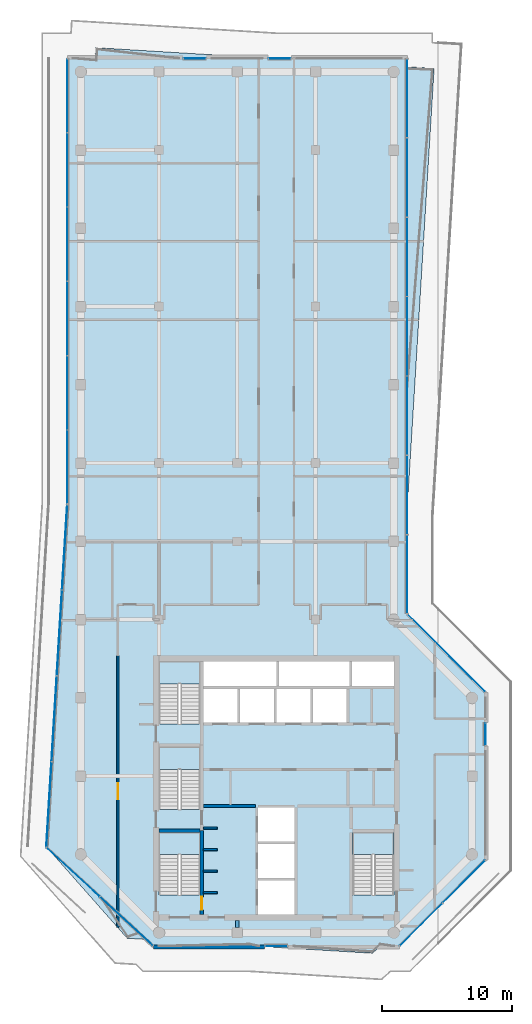
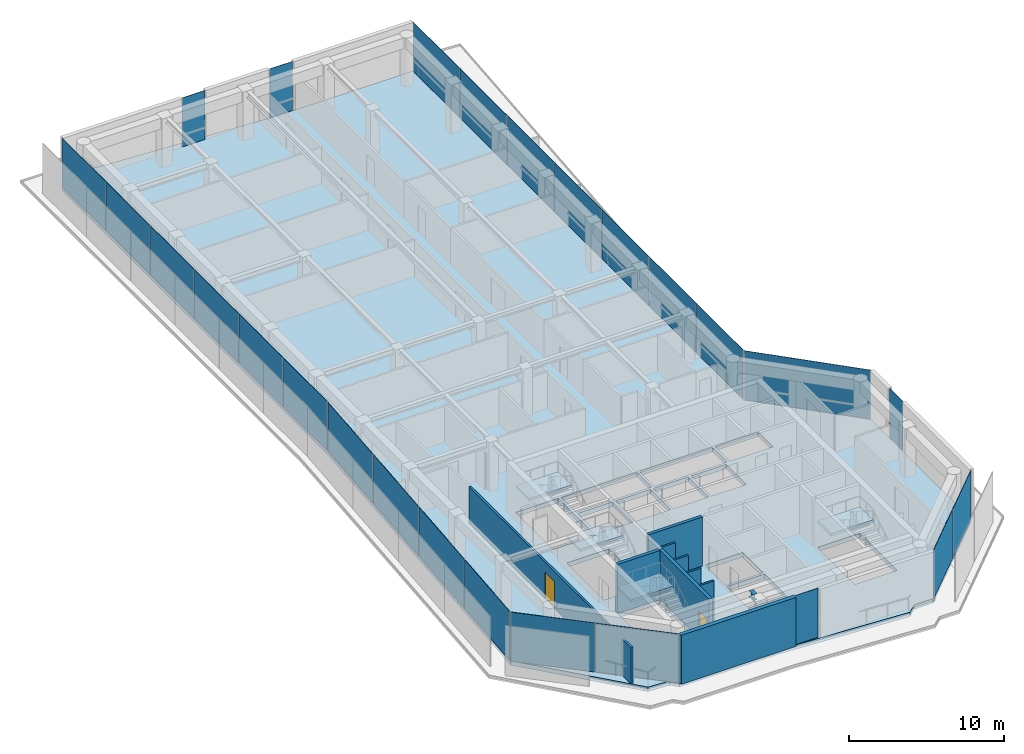
# One storey, part 14 of 19: 26 plates, 9 walls, 5 slabs, 2 doors, 1 beam, 2 openings, 14 elements without a shape of their own.
"""IFC4 building model written with IfcOpenShell, lengths in metres."""

from ifc_helpers import new_model, si_unit, direction, frame, frame_2d, origin, origin_2d, place, context, subcontext, project, spatial, polyline, rectangle, i_section, outline, extrude, material, layer, layer_set, material_profile, profile_set, type_object, element, fill, aggregate, save


model = new_model("IFC4")

# Units and contexts
model_context = context("Model", 3, precision=1e-05, world=origin(), true_north=direction((0.0, 1.0)))
body_context = subcontext(model_context, "Body", "Model", "MODEL_VIEW")
ifc_project = project(units=[si_unit("LENGTHUNIT", "METRE"), si_unit("AREAUNIT", "SQUARE_METRE"), si_unit("VOLUMEUNIT", "CUBIC_METRE"), si_unit("PLANEANGLEUNIT", "RADIAN"), si_unit("MASSUNIT", "GRAM", prefix="KILO")], contexts=[model_context])

# Site, building, storey
site_placement = place(None, origin())
site = spatial("IfcSite", under=ifc_project, at=site_placement, CompositionType="ELEMENT")
building_placement = place(site_placement, origin())
building = spatial("IfcBuilding", under=site, at=building_placement, Name="Welwitschia Terrace Campus", CompositionType="ELEMENT")
storey_placement = place(building_placement, frame((0.0, 0.0, 243.199951171875)))
storey = spatial("IfcBuildingStorey", under=building, at=storey_placement, Name="L54", CompositionType="ELEMENT", Elevation=243.199951171875)

# Beam
ifc_material_1 = material(Name="Steel S355", Category="steel")
ifc_material_profile = material_profile(ifc_material_1, i_section(OverallWidth=0.300048828125, OverallDepth=0.489990234375, WebThickness=0.011962890625, FlangeThickness=0.02294921875, FilletRadius=0.027099609375, at=origin_2d()))
ifc_profile_set = profile_set([ifc_material_profile], Name="Steel S355")
beam_type = type_object("IfcBeamType", Name="Primary beam HE 500 A", PredefinedType="BEAM", material=ifc_profile_set)
beam_placement = place(storey_placement, frame((12.0, 4.400390625, 3.60498046875), z_axis=(0.0, 1.0, 0.0), x_axis=(-1.0, 0.0, 0.0)))
element("IfcBeam", 1, at=beam_placement, inside=storey, type_object=beam_type, Name="Primary beam PB5", PredefinedType="BEAM", context=body_context, shape_type="SweptSolid", body=[
    extrude(i_section(OverallWidth=0.300048828125, OverallDepth=0.489990234375, WebThickness=0.011962890625, FlangeThickness=0.02294921875, FilletRadius=0.027099609375, at=origin_2d()), origin(), (0.0, 0.0, 1.0), 0.549560546875),
])

# Curtain wall, plates
ifc_material_2 = material(Name="Bronze anodised aluminium", Category="aluminium")
ifc_layer_1 = layer(ifc_material_2, 0.1201171875)
ifc_layer_set_1 = layer_set([ifc_layer_1], Name="Bronze anodised aluminium")
curtain_wall_type = type_object("IfcCurtainWallType", Name="Curtain wall CW2 tower 6000", PredefinedType="NOTDEFINED", material=ifc_layer_set_1)
curtain_wall_1_placement = place(storey_placement, origin())
curtain_wall_1 = element("IfcCurtainWall", 2, at=curtain_wall_1_placement, inside=storey, type_object=curtain_wall_type, Name="CW L54.0.0", PredefinedType="NOTDEFINED")
ifc_material_3 = material(Name="Tinted bronze-grey glass", Category="glass")
ifc_layer_2 = layer(ifc_material_3, 0.028076171875)
ifc_layer_set_2 = layer_set([ifc_layer_2], Name="Tinted bronze-grey glass")
plate_type = type_object("IfcPlateType", Name="Glass panel 28 tinted", PredefinedType="CURTAIN_PANEL", material=ifc_layer_set_2)
plate_1_placement = place(storey_placement, frame((-1.23193359375, 33.543212890625, 0.0), z_axis=(0.0, 0.0, 1.0), x_axis=(-0.061048539535, -0.998134798422, 0.0)))
plate_1 = element("IfcPlate", 3, at=plate_1_placement, type_object=plate_type, Name="Panel L54.0.0.0", PredefinedType="CURTAIN_PANEL", context=body_context, shape_type="SweptSolid", body=[
    extrude(rectangle(XDim=6.4990234375, YDim=0.028076171875, at=origin_2d()), origin(), (0.0, 0.0, 1.0), 3.85009765625),
])
plate_2_placement = place(storey_placement, frame((-1.63330078125, 26.981201171875, 0.0), z_axis=(0.0, 0.0, 1.0), x_axis=(-0.061048539535, -0.998134798422, 0.0)))
plate_2 = element("IfcPlate", 4, at=plate_2_placement, type_object=plate_type, Name="Panel L54.0.0.1", PredefinedType="CURTAIN_PANEL", context=body_context, shape_type="SweptSolid", body=[
    extrude(rectangle(XDim=6.529052734375, YDim=0.028076171875, at=origin_2d()), origin(), (0.0, 0.0, 1.0), 3.85009765625),
])
plate_3_placement = place(storey_placement, frame((-2.03564453125, 20.404541015625, 0.0), z_axis=(0.0, 0.0, 1.0), x_axis=(-0.061048539535, -0.998134798422, 0.0)))
plate_3 = element("IfcPlate", 5, at=plate_3_placement, type_object=plate_type, Name="Panel L54.0.0.2", PredefinedType="CURTAIN_PANEL", context=body_context, shape_type="SweptSolid", body=[
    extrude(rectangle(XDim=6.529052734375, YDim=0.028076171875, at=origin_2d()), origin(), (0.0, 0.0, 1.0), 3.85009765625),
])
plate_4_placement = place(storey_placement, frame((-2.43701171875, 13.8427734375, 0.0), z_axis=(0.0, 0.0, 1.0), x_axis=(-0.061048539535, -0.998134798422, 0.0)))
plate_4 = element("IfcPlate", 6, at=plate_4_placement, type_object=plate_type, Name="Panel L54.0.0.3", PredefinedType="CURTAIN_PANEL", context=body_context, shape_type="SweptSolid", body=[
    extrude(rectangle(XDim=6.4990234375, YDim=0.028076171875, at=origin_2d()), origin(), (0.0, 0.0, 1.0), 3.85009765625),
])
aggregate(curtain_wall_1, [plate_1, plate_2, plate_3, plate_4])

curtain_wall_2_placement = place(storey_placement, origin())
curtain_wall_2 = element("IfcCurtainWall", 7, at=curtain_wall_2_placement, inside=storey, type_object=curtain_wall_type, Name="CW L54.1.0", PredefinedType="NOTDEFINED")
plate_5_placement = place(storey_placement, frame((-0.574951171875, 8.63671875, 0.0), z_axis=(0.0, 0.0, 1.0), x_axis=(0.735310614007, -0.677730256761, 0.0)))
plate_5 = element("IfcPlate", 8, at=plate_5_placement, type_object=plate_type, Name="Panel L54.1.0.0", PredefinedType="CURTAIN_PANEL", context=body_context, shape_type="SweptSolid", body=[
    extrude(rectangle(XDim=5.494384765625, YDim=0.028076171875, at=origin_2d()), origin(), (0.0, 0.0, 1.0), 3.85009765625),
])
plate_6_placement = place(storey_placement, frame((3.50927734375, 4.87255859375, 0.0), z_axis=(0.0, 0.0, 1.0), x_axis=(0.735310614007, -0.677730256761, 0.0)))
plate_6 = element("IfcPlate", 9, at=plate_6_placement, type_object=plate_type, Name="Panel L54.1.0.1", PredefinedType="CURTAIN_PANEL", context=body_context, shape_type="SweptSolid", body=[
    extrude(rectangle(XDim=5.494384765625, YDim=0.028076171875, at=origin_2d()), origin(), (0.0, 0.0, 1.0), 3.85009765625),
])
aggregate(curtain_wall_2, [plate_5, plate_6])

# Curtain wall, plate
curtain_wall_3_placement = place(storey_placement, origin())
curtain_wall_3 = element("IfcCurtainWall", 10, at=curtain_wall_3_placement, inside=storey, type_object=curtain_wall_type, Name="CW L54.2.S0", PredefinedType="NOTDEFINED")
plate_7_placement = place(storey_placement, frame((15.0, 2.969970703125, 0.0), z_axis=(0.0, 0.0, 1.0), x_axis=(1.0, 0.0, 0.0)))
plate_7 = element("IfcPlate", 11, at=plate_7_placement, type_object=plate_type, Name="Panel L54.2.S0.0", PredefinedType="CURTAIN_PANEL", context=body_context, shape_type="SweptSolid", body=[
    extrude(rectangle(XDim=1.679931640625, YDim=0.028076171875, at=origin_2d()), origin(), (0.0, 0.0, 1.0), 3.85009765625),
])
aggregate(curtain_wall_3, [plate_7])

# Curtain wall, plates
curtain_wall_4_placement = place(storey_placement, origin())
curtain_wall_4 = element("IfcCurtainWall", 12, at=curtain_wall_4_placement, inside=storey, type_object=curtain_wall_type, Name="CW L54.3.0", PredefinedType="NOTDEFINED")
plate_8_placement = place(storey_placement, frame((26.088134765625, 4.63134765625, 0.0), z_axis=(0.0, 0.0, 1.0), x_axis=(0.707106781187, 0.707106781187, 0.0)))
plate_8 = element("IfcPlate", 13, at=plate_8_placement, type_object=plate_type, Name="Panel L54.3.0.0", PredefinedType="CURTAIN_PANEL", context=body_context, shape_type="SweptSolid", body=[
    extrude(rectangle(XDim=4.579345703125, YDim=0.028076171875, at=origin_2d()), origin(), (0.0, 0.0, 1.0), 3.85009765625),
])
plate_9_placement = place(storey_placement, frame((29.36865234375, 7.911865234375, 0.0), z_axis=(0.0, 0.0, 1.0), x_axis=(0.707106781187, 0.707106781187, 0.0)))
plate_9 = element("IfcPlate", 14, at=plate_9_placement, type_object=plate_type, Name="Panel L54.3.0.1", PredefinedType="CURTAIN_PANEL", context=body_context, shape_type="SweptSolid", body=[
    extrude(rectangle(XDim=4.579345703125, YDim=0.028076171875, at=origin_2d()), origin(), (0.0, 0.0, 1.0), 3.85009765625),
])
aggregate(curtain_wall_4, [plate_8, plate_9])

# Curtain wall, plate
curtain_wall_5_placement = place(storey_placement, origin())
curtain_wall_5 = element("IfcCurtainWall", 15, at=curtain_wall_5_placement, inside=storey, type_object=curtain_wall_type, Name="CW L54.4.S0", PredefinedType="NOTDEFINED")
plate_10_placement = place(storey_placement, frame((31.030029296875, 19.21337890625, 0.0), z_axis=(0.0, 0.0, 1.0), x_axis=(0.0, 1.0, 0.0)))
plate_10 = element("IfcPlate", 16, at=plate_10_placement, type_object=plate_type, Name="Panel L54.4.S0.0", PredefinedType="CURTAIN_PANEL", context=body_context, shape_type="SweptSolid", body=[
    extrude(rectangle(XDim=1.679931640625, YDim=0.028076171875, at=origin_2d()), origin(), (0.0, 0.0, 1.0), 3.85009765625),
])
aggregate(curtain_wall_5, [plate_10])

curtain_wall_6_placement = place(storey_placement, origin())
curtain_wall_6 = element("IfcCurtainWall", 17, at=curtain_wall_6_placement, inside=storey, type_object=curtain_wall_type, Name="CW L54.5.0", PredefinedType="NOTDEFINED")
plate_11_placement = place(storey_placement, frame((28.030029296875, 25.4267578125, 0.0), z_axis=(0.0, 0.0, 1.0), x_axis=(-0.707106781187, 0.707106781187, 0.0)))
plate_11 = element("IfcPlate", 18, at=plate_11_placement, type_object=plate_type, Name="Panel L54.5.0.0", PredefinedType="CURTAIN_PANEL", context=body_context, shape_type="SweptSolid", body=[
    extrude(rectangle(XDim=8.365234375, YDim=0.028076171875, at=origin_2d()), origin(), (0.0, 0.0, 1.0), 3.85009765625),
])
aggregate(curtain_wall_6, [plate_11])

# Curtain wall, plates
curtain_wall_7_placement = place(storey_placement, origin())
curtain_wall_7 = element("IfcCurtainWall", 19, at=curtain_wall_7_placement, inside=storey, type_object=curtain_wall_type, Name="CW L54.6.0", PredefinedType="NOTDEFINED")
plate_12_placement = place(storey_placement, frame((25.030029296875, 31.484619140625, 0.0), z_axis=(0.0, 0.0, 1.0), x_axis=(0.0, 1.0, 0.0)))
plate_12 = element("IfcPlate", 20, at=plate_12_placement, type_object=plate_type, Name="Panel L54.6.0.0", PredefinedType="CURTAIN_PANEL", context=body_context, shape_type="SweptSolid", body=[
    extrude(rectangle(XDim=5.99609375, YDim=0.028076171875, at=origin_2d()), origin(), (0.0, 0.0, 1.0), 3.85009765625),
])
plate_13_placement = place(storey_placement, frame((25.030029296875, 37.555908203125, 0.0), z_axis=(0.0, 0.0, 1.0), x_axis=(0.0, 1.0, 0.0)))
plate_13 = element("IfcPlate", 21, at=plate_13_placement, type_object=plate_type, Name="Panel L54.6.0.1", PredefinedType="CURTAIN_PANEL", context=body_context, shape_type="SweptSolid", body=[
    extrude(rectangle(XDim=6.026123046875, YDim=0.028076171875, at=origin_2d()), origin(), (0.0, 0.0, 1.0), 3.85009765625),
])
plate_14_placement = place(storey_placement, frame((25.030029296875, 43.64208984375, 0.0), z_axis=(0.0, 0.0, 1.0), x_axis=(0.0, 1.0, 0.0)))
plate_14 = element("IfcPlate", 22, at=plate_14_placement, type_object=plate_type, Name="Panel L54.6.0.2", PredefinedType="CURTAIN_PANEL", context=body_context, shape_type="SweptSolid", body=[
    extrude(rectangle(XDim=6.026123046875, YDim=0.028076171875, at=origin_2d()), origin(), (0.0, 0.0, 1.0), 3.85009765625),
])
plate_15_placement = place(storey_placement, frame((25.030029296875, 49.728271484375, 0.0), z_axis=(0.0, 0.0, 1.0), x_axis=(0.0, 1.0, 0.0)))
plate_15 = element("IfcPlate", 23, at=plate_15_placement, type_object=plate_type, Name="Panel L54.6.0.3", PredefinedType="CURTAIN_PANEL", context=body_context, shape_type="SweptSolid", body=[
    extrude(rectangle(XDim=6.026123046875, YDim=0.028076171875, at=origin_2d()), origin(), (0.0, 0.0, 1.0), 3.85009765625),
])
plate_16_placement = place(storey_placement, frame((25.030029296875, 55.814453125, 0.0), z_axis=(0.0, 0.0, 1.0), x_axis=(0.0, 1.0, 0.0)))
plate_16 = element("IfcPlate", 24, at=plate_16_placement, type_object=plate_type, Name="Panel L54.6.0.4", PredefinedType="CURTAIN_PANEL", context=body_context, shape_type="SweptSolid", body=[
    extrude(rectangle(XDim=6.026123046875, YDim=0.028076171875, at=origin_2d()), origin(), (0.0, 0.0, 1.0), 3.85009765625),
])
plate_17_placement = place(storey_placement, frame((25.030029296875, 61.900634765625, 0.0), z_axis=(0.0, 0.0, 1.0), x_axis=(0.0, 1.0, 0.0)))
plate_17 = element("IfcPlate", 25, at=plate_17_placement, type_object=plate_type, Name="Panel L54.6.0.5", PredefinedType="CURTAIN_PANEL", context=body_context, shape_type="SweptSolid", body=[
    extrude(rectangle(XDim=6.026123046875, YDim=0.028076171875, at=origin_2d()), origin(), (0.0, 0.0, 1.0), 3.85009765625),
])
plate_18_placement = place(storey_placement, frame((25.030029296875, 67.971923828125, 0.0), z_axis=(0.0, 0.0, 1.0), x_axis=(0.0, 1.0, 0.0)))
plate_18 = element("IfcPlate", 26, at=plate_18_placement, type_object=plate_type, Name="Panel L54.6.0.6", PredefinedType="CURTAIN_PANEL", context=body_context, shape_type="SweptSolid", body=[
    extrude(rectangle(XDim=5.99609375, YDim=0.028076171875, at=origin_2d()), origin(), (0.0, 0.0, 1.0), 3.85009765625),
])
aggregate(curtain_wall_7, [plate_12, plate_13, plate_14, plate_15, plate_16, plate_17, plate_18])

# Curtain wall, plate
curtain_wall_8_placement = place(storey_placement, origin())
curtain_wall_8 = element("IfcCurtainWall", 27, at=curtain_wall_8_placement, inside=storey, type_object=curtain_wall_type, Name="CW L54.7.S0", PredefinedType="NOTDEFINED")
plate_19_placement = place(storey_placement, frame((15.257568359375, 71.030029296875, 0.0), z_axis=(0.0, 0.0, 1.0), x_axis=(-1.0, 0.0, 0.0)))
plate_19 = element("IfcPlate", 28, at=plate_19_placement, type_object=plate_type, Name="Panel L54.7.S0.0", PredefinedType="CURTAIN_PANEL", context=body_context, shape_type="SweptSolid", body=[
    extrude(rectangle(XDim=1.679931640625, YDim=0.028076171875, at=origin_2d()), origin(), (0.0, 0.0, 1.0), 3.85009765625),
])
aggregate(curtain_wall_8, [plate_19])

curtain_wall_9_placement = place(storey_placement, origin())
curtain_wall_9 = element("IfcCurtainWall", 29, at=curtain_wall_9_placement, inside=storey, type_object=curtain_wall_type, Name="CW L54.7.S1", PredefinedType="NOTDEFINED")
plate_20_placement = place(storey_placement, frame((8.742431640625, 71.030029296875, 0.0), z_axis=(0.0, 0.0, 1.0), x_axis=(-1.0, 0.0, 0.0)))
plate_20 = element("IfcPlate", 30, at=plate_20_placement, type_object=plate_type, Name="Panel L54.7.S1.0", PredefinedType="CURTAIN_PANEL", context=body_context, shape_type="SweptSolid", body=[
    extrude(rectangle(XDim=1.679931640625, YDim=0.028076171875, at=origin_2d()), origin(), (0.0, 0.0, 1.0), 3.85009765625),
])
aggregate(curtain_wall_9, [plate_20])

# Curtain wall, plates
curtain_wall_10_placement = place(storey_placement, origin())
curtain_wall_10 = element("IfcCurtainWall", 31, at=curtain_wall_10_placement, inside=storey, type_object=curtain_wall_type, Name="CW L54.8.0", PredefinedType="NOTDEFINED")
plate_21_placement = place(storey_placement, frame((-1.030029296875, 68.166259765625, 0.0), z_axis=(0.0, 0.0, 1.0), x_axis=(0.0, -1.0, 0.0)))
plate_21 = element("IfcPlate", 32, at=plate_21_placement, type_object=plate_type, Name="Panel L54.8.0.0", PredefinedType="CURTAIN_PANEL", context=body_context, shape_type="SweptSolid", body=[
    extrude(rectangle(XDim=5.607177734375, YDim=0.028076171875, at=origin_2d()), origin(), (0.0, 0.0, 1.0), 3.85009765625),
])
plate_22_placement = place(storey_placement, frame((-1.030029296875, 62.484130859375, 0.0), z_axis=(0.0, 0.0, 1.0), x_axis=(0.0, -1.0, 0.0)))
plate_22 = element("IfcPlate", 33, at=plate_22_placement, type_object=plate_type, Name="Panel L54.8.0.1", PredefinedType="CURTAIN_PANEL", context=body_context, shape_type="SweptSolid", body=[
    extrude(rectangle(XDim=5.63720703125, YDim=0.028076171875, at=origin_2d()), origin(), (0.0, 0.0, 1.0), 3.85009765625),
])
plate_23_placement = place(storey_placement, frame((-1.030029296875, 56.786865234375, 0.0), z_axis=(0.0, 0.0, 1.0), x_axis=(0.0, -1.0, 0.0)))
plate_23 = element("IfcPlate", 34, at=plate_23_placement, type_object=plate_type, Name="Panel L54.8.0.2", PredefinedType="CURTAIN_PANEL", context=body_context, shape_type="SweptSolid", body=[
    extrude(rectangle(XDim=5.63720703125, YDim=0.028076171875, at=origin_2d()), origin(), (0.0, 0.0, 1.0), 3.85009765625),
])
plate_24_placement = place(storey_placement, frame((-1.030029296875, 51.089599609375, 0.0), z_axis=(0.0, 0.0, 1.0), x_axis=(0.0, -1.0, 0.0)))
plate_24 = element("IfcPlate", 35, at=plate_24_placement, type_object=plate_type, Name="Panel L54.8.0.3", PredefinedType="CURTAIN_PANEL", context=body_context, shape_type="SweptSolid", body=[
    extrude(rectangle(XDim=5.63720703125, YDim=0.028076171875, at=origin_2d()), origin(), (0.0, 0.0, 1.0), 3.85009765625),
])
plate_25_placement = place(storey_placement, frame((-1.030029296875, 45.392333984375, 0.0), z_axis=(0.0, 0.0, 1.0), x_axis=(0.0, -1.0, 0.0)))
plate_25 = element("IfcPlate", 36, at=plate_25_placement, type_object=plate_type, Name="Panel L54.8.0.4", PredefinedType="CURTAIN_PANEL", context=body_context, shape_type="SweptSolid", body=[
    extrude(rectangle(XDim=5.63720703125, YDim=0.028076171875, at=origin_2d()), origin(), (0.0, 0.0, 1.0), 3.85009765625),
])
plate_26_placement = place(storey_placement, frame((-1.030029296875, 39.710205078125, 0.0), z_axis=(0.0, 0.0, 1.0), x_axis=(0.0, -1.0, 0.0)))
plate_26 = element("IfcPlate", 37, at=plate_26_placement, type_object=plate_type, Name="Panel L54.8.0.5", PredefinedType="CURTAIN_PANEL", context=body_context, shape_type="SweptSolid", body=[
    extrude(rectangle(XDim=5.607177734375, YDim=0.028076171875, at=origin_2d()), origin(), (0.0, 0.0, 1.0), 3.85009765625),
])
aggregate(curtain_wall_10, [plate_21, plate_22, plate_23, plate_24, plate_25, plate_26])

# Stair, slab
ifc_material_4 = material(Name="Concrete C40/50", Category="concrete")
stair_type = type_object("IfcStairType", Name="Stair 24R 175 W1500", PredefinedType="HALF_TURN_STAIR", material=ifc_material_4)
stair_1_placement = place(storey_placement, origin())
stair_1 = element("IfcStair", 38, at=stair_1_placement, inside=storey, type_object=stair_type, Name="L54 Exit stair S1", PredefinedType="HALF_TURN_STAIR")
ifc_material_5 = material(Name="Concrete C40/50", Category="concrete")
ifc_layer_3 = layer(ifc_material_5, 0.199951171875)
ifc_layer_set_3 = layer_set([ifc_layer_3], Name="Concrete C40/50")
slab_type_1 = type_object("IfcSlabType", Name="Stair landing RC", PredefinedType="LANDING", material=ifc_layer_set_3)
slab_1_placement = place(storey_placement, frame((0.0, 0.0, 1.900146484375)))
slab_1 = element("IfcSlab", 39, at=slab_1_placement, type_object=slab_type_1, Name="S1 landing 1", PredefinedType="LANDING", context=body_context, shape_type="SweptSolid", body=[
    extrude(outline(polyline([(9.14990234375, 9.97998046875), (9.14990234375, 11.699951171875), (6.0, 11.699951171875), (6.0, 9.97998046875), (9.14990234375, 9.97998046875)])), origin(), (0.0, 0.0, 1.0), 0.199951171875),
])
aggregate(stair_1, [slab_1])

stair_2_placement = place(storey_placement, origin())
stair_2 = element("IfcStair", 40, at=stair_2_placement, inside=storey, type_object=stair_type, Name="L54 Exit stair S3", PredefinedType="HALF_TURN_STAIR")
slab_2_placement = place(storey_placement, frame((0.0, 0.0, 1.900146484375)))
slab_2 = element("IfcSlab", 41, at=slab_2_placement, type_object=slab_type_1, Name="S3 landing 1", PredefinedType="LANDING", context=body_context, shape_type="SweptSolid", body=[
    extrude(outline(polyline([(9.14990234375, 16.530029296875), (9.14990234375, 18.25), (6.0, 18.25), (6.0, 16.530029296875), (9.14990234375, 16.530029296875)])), origin(), (0.0, 0.0, 1.0), 0.199951171875),
])
aggregate(stair_2, [slab_2])

stair_3_placement = place(storey_placement, origin())
stair_3 = element("IfcStair", 42, at=stair_3_placement, inside=storey, type_object=stair_type, Name="L54 Exit stair S4", PredefinedType="HALF_TURN_STAIR")
slab_3_placement = place(storey_placement, frame((0.0, 0.0, 1.900146484375)))
slab_3 = element("IfcSlab", 43, at=slab_3_placement, type_object=slab_type_1, Name="S4 landing 1", PredefinedType="LANDING", context=body_context, shape_type="SweptSolid", body=[
    extrude(outline(polyline([(9.14990234375, 23.080078125), (9.14990234375, 24.800048828125), (6.0, 24.800048828125), (6.0, 23.080078125), (9.14990234375, 23.080078125)])), origin(), (0.0, 0.0, 1.0), 0.199951171875),
])
aggregate(stair_3, [slab_3])

stair_4_placement = place(storey_placement, origin())
stair_4 = element("IfcStair", 44, at=stair_4_placement, inside=storey, type_object=stair_type, Name="L54 Exit stair S2", PredefinedType="HALF_TURN_STAIR")
slab_4_placement = place(storey_placement, frame((0.0, 0.0, 1.900146484375)))
slab_4 = element("IfcSlab", 45, at=slab_4_placement, type_object=slab_type_1, Name="S2 landing 1", PredefinedType="LANDING", context=body_context, shape_type="SweptSolid", body=[
    extrude(outline(polyline([(24.0, 9.97998046875), (24.0, 11.699951171875), (20.85009765625, 11.699951171875), (20.85009765625, 9.97998046875), (24.0, 9.97998046875)])), origin(), (0.0, 0.0, 1.0), 0.199951171875),
])
aggregate(stair_4, [slab_4])

# Slab
ifc_material_6 = material(Name="Concrete C40/50", Category="concrete")
ifc_layer_4 = layer(ifc_material_6, 0.35009765625)
ifc_layer_set_4 = layer_set([ifc_layer_4], Name="Concrete C40/50")
slab_type_2 = type_object("IfcSlabType", Name="Suspended floor slab 350", PredefinedType="FLOOR", material=ifc_layer_set_4)
slab_5_placement = place(storey_placement, frame((0.0, 0.0, -0.349853515625)))
element("IfcSlab", 46, at=slab_5_placement, inside=storey, type_object=slab_type_2, Name="Floor slab L54", PredefinedType="FLOOR", context=body_context, shape_type="SweptSolid", body=[
    extrude(outline(polyline([(1.0888671875, 71.0), (1.140869140625, 71.849609375), (15.030517578125, 71.0), (25.0, 71.0), (25.0, 70.39013671875), (27.092529296875, 70.26220703125), (25.0, 36.05126953125), (25.0, 28.414306640625), (31.0, 22.414306640625), (31.0, 9.585693359375), (24.414306640625, 3.0), (23.006591796875, 3.0), (22.3564453125, 2.4248046875), (12.952880859375, 3.0), (5.585693359375, 3.0), (5.10595703125, 3.47998046875), (3.563232421875, 3.57421875), (-2.6083984375, 10.5498046875), (-1.0, 36.845458984375), (-1.0, 71.0), (1.0888671875, 71.0)]), holes=[polyline([(13.60009765625, 8.0), (13.60009765625, 5.39990234375), (16.39990234375, 5.39990234375), (16.39990234375, 8.0), (13.60009765625, 8.0)]), polyline([(9.14990234375, 11.699951171875), (6.0, 11.699951171875), (6.0, 6.902099609375), (9.14990234375, 6.902099609375), (9.14990234375, 11.699951171875)]), polyline([(9.14990234375, 18.25), (6.0, 18.25), (6.0, 13.451904296875), (9.14990234375, 13.451904296875), (9.14990234375, 18.25)]), polyline([(12.0, 22.699951171875), (9.39990234375, 22.699951171875), (9.39990234375, 20.10009765625), (12.0, 20.10009765625), (12.0, 22.699951171875)]), polyline([(14.800048828125, 22.699951171875), (12.199951171875, 22.699951171875), (12.199951171875, 20.10009765625), (14.800048828125, 20.10009765625), (14.800048828125, 22.699951171875)]), polyline([(9.14990234375, 24.800048828125), (6.0, 24.800048828125), (6.0, 20.001953125), (9.14990234375, 20.001953125), (9.14990234375, 24.800048828125)]), polyline([(15.0, 24.800048828125), (9.39990234375, 24.800048828125), (9.39990234375, 22.89990234375), (15.0, 22.89990234375), (15.0, 24.800048828125)]), polyline([(20.85009765625, 11.699951171875), (20.85009765625, 6.902099609375), (24.0, 6.902099609375), (24.0, 11.699951171875), (20.85009765625, 11.699951171875)]), polyline([(16.39990234375, 10.800048828125), (13.60009765625, 10.800048828125), (13.60009765625, 8.199951171875), (16.39990234375, 8.199951171875), (16.39990234375, 10.800048828125)]), polyline([(16.39990234375, 13.60009765625), (13.60009765625, 13.60009765625), (13.60009765625, 11.0), (16.39990234375, 11.0), (16.39990234375, 13.60009765625)]), polyline([(17.60009765625, 22.699951171875), (15.0, 22.699951171875), (15.0, 20.10009765625), (17.60009765625, 20.10009765625), (17.60009765625, 22.699951171875)]), polyline([(20.39990234375, 22.699951171875), (17.800048828125, 22.699951171875), (17.800048828125, 20.10009765625), (20.39990234375, 20.10009765625), (20.39990234375, 22.699951171875)]), polyline([(20.60009765625, 24.800048828125), (15.199951171875, 24.800048828125), (15.199951171875, 22.89990234375), (20.60009765625, 22.89990234375), (20.60009765625, 24.800048828125)]), polyline([(24.0, 24.800048828125), (20.800048828125, 24.800048828125), (20.800048828125, 22.89990234375), (24.0, 22.89990234375), (24.0, 24.800048828125)])]), origin(), (0.0, 0.0, 1.0), 0.349853515625),
])

# Walls
ifc_material_7 = material(Name="Concrete C32/40", Category="concrete")
ifc_layer_5 = layer(ifc_material_7, 0.22509765625)
ifc_layer_set_5 = layer_set([ifc_layer_5], Name="Concrete C32/40")
wall_type_1 = type_object("IfcWallType", Name="Core partition 225 Concrete C32/40", PredefinedType="PARTITIONING", material=ifc_layer_set_5)
wall_1_placement = place(storey_placement, frame((9.39990234375, 13.699951171875, 0.0), z_axis=(0.0, 0.0, 1.0), x_axis=(1.0, 0.0, 0.0)))
element("IfcWall", 47, at=wall_1_placement, inside=storey, type_object=wall_type_1, Name="Core partition", PredefinedType="PARTITIONING", context=body_context, shape_type="SweptSolid", body=[
    extrude(rectangle(XDim=4.0, YDim=0.22509765625, at=frame_2d((2.0, 0.0))), origin(), (0.0, 0.0, 1.0), 3.85009765625),
])
ifc_material_8 = material(Name="Concrete C50/60", Category="concrete")
ifc_layer_6 = layer(ifc_material_8, 0.14990234375)
ifc_layer_set_6 = layer_set([ifc_layer_6], Name="Concrete C50/60")
wall_type_2 = type_object("IfcWallType", Name="Core wall 150 Concrete C50/60", PredefinedType="SHEAR", material=ifc_layer_set_6)
for number, where, z_axis, x_axis, name in (
    (48, (9.39990234375, 7.074951171875, 0.0), (0.0, 0.0, 1.0), (1.0, 0.0, 0.0), "Core wall"),
    (49, (9.39990234375, 8.72509765625, 0.0), (0.0, 0.0, 1.0), (1.0, 0.0, 0.0), "Core wall"),
    (50, (9.39990234375, 10.375, 0.0), (0.0, 0.0, 1.0), (1.0, 0.0, 0.0), "Core wall"),
    (51, (9.39990234375, 12.02490234375, 0.0), (0.0, 0.0, 1.0), (1.0, 0.0, 0.0), "Core wall"),
):
    element("IfcWall", number, at=place(storey_placement, frame(where, z_axis=z_axis, x_axis=x_axis)), inside=storey, type_object=wall_type_2, Name=name, PredefinedType="SHEAR", context=body_context, shape_type="SweptSolid", body=[
        extrude(rectangle(XDim=1.050048828125, YDim=0.14990234375, at=frame_2d((0.52490234375, 0.0))), origin(), (0.0, 0.0, 1.0), 3.85009765625),
    ])
ifc_material_9 = material(Name="Concrete C50/60", Category="concrete")
ifc_layer_7 = layer(ifc_material_9, 0.25)
ifc_layer_set_7 = layer_set([ifc_layer_7], Name="Concrete C50/60")
wall_type_3 = type_object("IfcWallType", Name="Core wall 250 Concrete C50/60", PredefinedType="SHEAR", material=ifc_layer_set_7)
wall_2_placement = place(storey_placement, frame((6.0, 11.824951171875, 0.0), z_axis=(0.0, 0.0, 1.0), x_axis=(1.0, 0.0, 0.0)))
element("IfcWall", 52, at=wall_2_placement, inside=storey, type_object=wall_type_3, Name="Core wall", PredefinedType="SHEAR", context=body_context, shape_type="SweptSolid", body=[
    extrude(rectangle(XDim=3.14990234375, YDim=0.25, at=frame_2d((1.574951171875, 0.0))), origin(), (0.0, 0.0, 1.0), 3.85009765625),
])

# Wall, opening, door
wall_3_placement = place(storey_placement, frame((9.27490234375, 11.824951171875, 0.0), z_axis=(0.0, 0.0, 1.0), x_axis=(0.0, -1.0, 0.0)))
wall_3 = element("IfcWall", 53, at=wall_3_placement, inside=storey, type_object=wall_type_3, Name="Core wall", PredefinedType="SHEAR", context=body_context, shape_type="SweptSolid", body=[
    extrude(rectangle(XDim=6.425048828125, YDim=0.25, at=frame_2d((3.21240234375, 0.0))), origin(), (0.0, 0.0, 1.0), 3.85009765625),
])
opening_1_placement = place(wall_3_placement, frame((5.074951171875, 0.0, 0.0)))
opening_1 = element("IfcOpeningElement", 54, at=opening_1_placement, cuts=wall_3, Name="Opening DS10", PredefinedType="OPENING", context=body_context, shape_type="SweptSolid", body=[
    extrude(rectangle(XDim=1.0, YDim=2.10009765625, at=frame_2d((0.5, 1.050048828125))), frame((0.0, 0.135009765625, 0.0), z_axis=(0.0, -1.0, 0.0), x_axis=(1.0, 0.0, 0.0)), (0.0, 0.0, 1.0), 0.27001953125),
])
ifc_material_10 = material(Name="Steel S275", Category="steel")
door_type_1 = type_object("IfcDoorType", Name="Core door DS10", OperationType="SINGLE_SWING_LEFT", PredefinedType="DOOR", material=ifc_material_10)
door_1_placement = place(opening_1_placement, origin())
door_1 = element("IfcDoor", 55, at=door_1_placement, inside=storey, type_object=door_type_1, Name="Door S1-FL", OperationType="SINGLE_SWING_RIGHT", OverallHeight=2.10009765625, OverallWidth=1.0, PredefinedType="DOOR", context=body_context, shape_type="SweptSolid", body=[
    extrude(rectangle(XDim=1.0, YDim=2.10009765625, at=frame_2d((0.5, 1.050048828125))), frame((0.0, 0.02490234375, 0.0), z_axis=(0.0, -1.0, 0.0), x_axis=(1.0, 0.0, 0.0)), (0.0, 0.0, 1.0), 0.050048828125),
])
fill(opening_1, door_1)

ifc_material_11 = material(Name="Gypsum board on steel studs", Category="steel")
ifc_layer_8 = layer(ifc_material_11, 0.14990234375)
ifc_layer_set_8 = layer_set([ifc_layer_8], Name="Gypsum board on steel studs")
wall_type_4 = type_object("IfcWallType", Name="Corridor partition 150 EI 30", PredefinedType="PARTITIONING", material=ifc_layer_set_8)
wall_4_placement = place(storey_placement, frame((2.85009765625, 4.409912109375, 0.0), z_axis=(0.0, 0.0, 1.0), x_axis=(0.0, 1.0, 0.0)))
wall_4 = element("IfcWall", 56, at=wall_4_placement, inside=storey, type_object=wall_type_4, Name="Partition", PredefinedType="PARTITIONING", context=body_context, shape_type="SweptSolid", body=[
    extrude(rectangle(XDim=20.840087890625, YDim=0.14990234375, at=frame_2d((10.419921875, 0.0))), origin(), (0.0, 0.0, 1.0), 2.880126953125),
])
opening_2_placement = place(wall_4_placement, frame((9.840087890625, 0.0, 0.0)))
opening_2 = element("IfcOpeningElement", 57, at=opening_2_placement, cuts=wall_4, Name="Opening DI12", PredefinedType="OPENING", context=body_context, shape_type="SweptSolid", body=[
    extrude(rectangle(XDim=1.199951171875, YDim=2.10009765625, at=frame_2d((0.60009765625, 1.050048828125))), frame((0.0, 0.0849609375, 0.0), z_axis=(0.0, -1.0, 0.0), x_axis=(1.0, 0.0, 0.0)), (0.0, 0.0, 1.0), 0.169921875),
])
ifc_material_12 = material(Name="Timber veneered door", Category="wood")
door_type_2 = type_object("IfcDoorType", Name="Interior door DI12", OperationType="NOTDEFINED", PredefinedType="DOOR", material=ifc_material_12)
door_2_placement = place(opening_2_placement, origin())
door_2 = element("IfcDoor", 58, at=door_2_placement, inside=storey, type_object=door_type_2, Name="Door L54 987", OperationType="SINGLE_SWING_RIGHT", OverallHeight=2.10009765625, OverallWidth=1.199951171875, PredefinedType="DOOR", context=body_context, shape_type="SweptSolid", body=[
    extrude(rectangle(XDim=1.199951171875, YDim=2.10009765625, at=frame_2d((0.60009765625, 1.050048828125))), frame((0.0, 0.02490234375, 0.0), z_axis=(0.0, -1.0, 0.0), x_axis=(1.0, 0.0, 0.0)), (0.0, 0.0, 1.0), 0.050048828125),
])
fill(opening_2, door_2)

# Wall
ifc_material_13 = material(Name="Concrete C40/50", Category="concrete")
ifc_layer_9 = layer(ifc_material_13, 0.300048828125)
ifc_layer_set_9 = layer_set([ifc_layer_9], Name="Concrete C40/50")
wall_type_5 = type_object("IfcWallType", Name="Mass wall 300", PredefinedType="SOLIDWALL", material=ifc_layer_set_9)
wall_5_placement = place(storey_placement, frame((5.573486328125, 2.92041015625, 0.0), z_axis=(0.0, 0.0, 1.0), x_axis=(1.0, 0.0, 0.0)))
element("IfcWall", 59, at=wall_5_placement, inside=storey, type_object=wall_type_5, Name="Mass wall L54.2.0", PredefinedType="SOLIDWALL", context=body_context, shape_type="SweptSolid", body=[
    extrude(rectangle(XDim=8.526611328125, YDim=0.300048828125, at=frame_2d((4.26318359375, 0.0))), origin(), (0.0, 0.0, 1.0), 3.85009765625),
])

save(model, "model.ifc")
